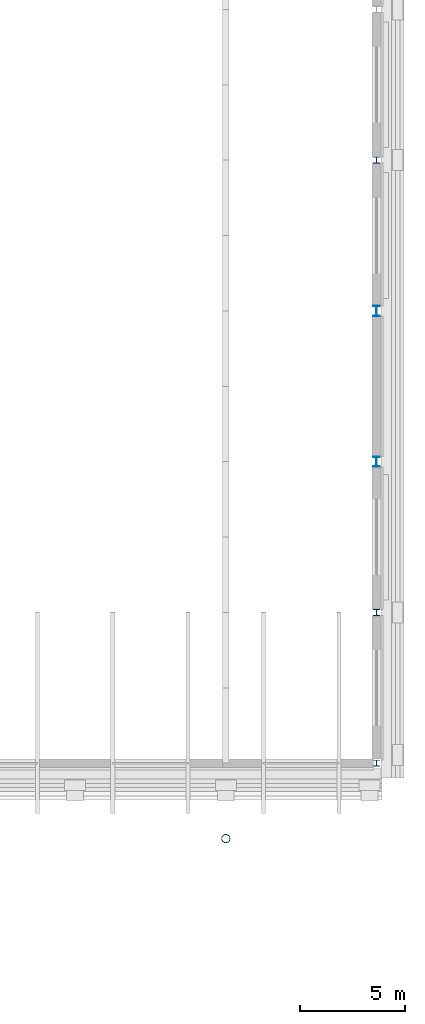
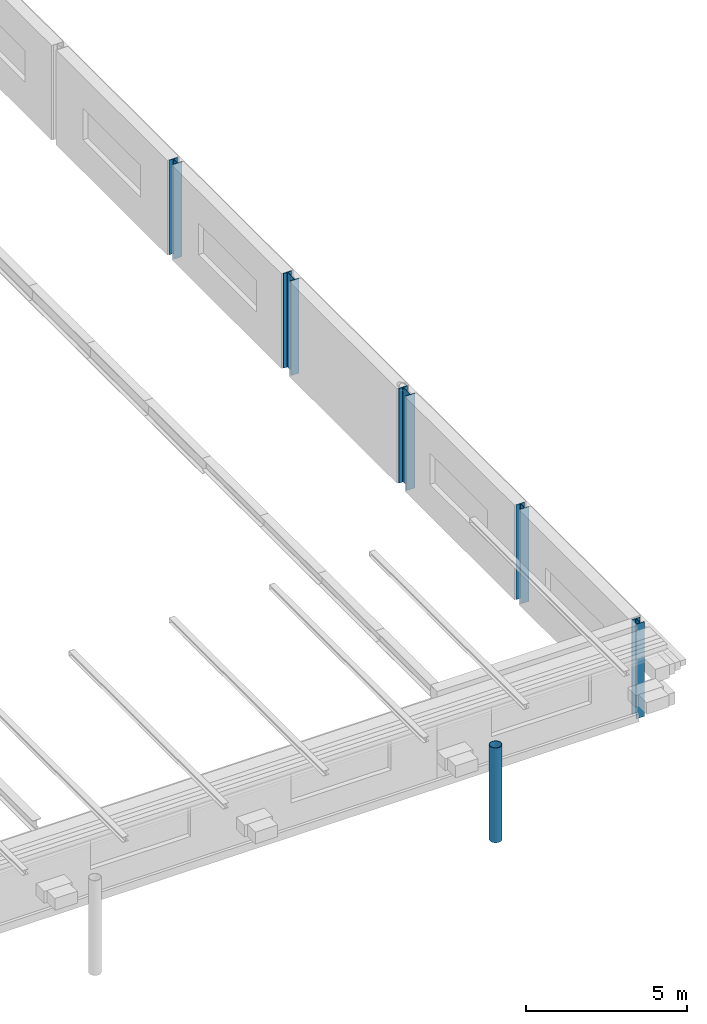
# One storey, part 12 of 110: 6 columns.
"""IFC4 building model written with IfcOpenShell, lengths in metres."""

from ifc_helpers import new_model, si_unit, direction, frame, origin, origin_2d, place, context, subcontext, project, spatial, hollow_circle, i_section, extrude, material, material_profile, profile_set, type_object, element, save


model = new_model("IFC4")

# Units and contexts
model_context = context("Model", 3, precision=1e-05, world=origin(), true_north=direction((0.0, 1.0)))
body_context = subcontext(model_context, "Body", "Model", "MODEL_VIEW")
ifc_project = project(units=[si_unit("LENGTHUNIT", "METRE"), si_unit("AREAUNIT", "SQUARE_METRE"), si_unit("VOLUMEUNIT", "CUBIC_METRE"), si_unit("PLANEANGLEUNIT", "RADIAN"), si_unit("MASSUNIT", "GRAM", prefix="KILO")], contexts=[model_context])

# Site, building, storey
site_placement = place(None, origin())
site = spatial("IfcSite", under=ifc_project, at=site_placement, CompositionType="ELEMENT")
building_placement = place(site_placement, origin())
building = spatial("IfcBuilding", under=site, at=building_placement, Name="Kupolbacken Congress Centre", CompositionType="ELEMENT")
storey_placement = place(building_placement, frame((0.0, 0.0, 18.0)))
storey = spatial("IfcBuildingStorey", under=building, at=storey_placement, Name="L05", CompositionType="ELEMENT", Elevation=18.0)

# Columns
ifc_material_1 = material(Name="Steel S355", Category="steel")
ifc_material_profile_1 = material_profile(ifc_material_1, i_section(OverallWidth=0.300048828125, OverallDepth=0.2900390625, WebThickness=0.008544921875, FlangeThickness=0.013916015625, FilletRadius=0.027099609375, at=origin_2d()), Name="HEA 300")
ifc_profile_set_1 = profile_set([ifc_material_profile_1], Name="Steel S355")
column_type_1 = type_object("IfcColumnType", Name="C09 column HEA 300", PredefinedType="COLUMN", material=ifc_profile_set_1)
for number, where, z_axis, x_axis, name in (
    (1, (201.60009765625, 43.199951171875, 0.0), (0.0, 0.0, 1.0), (1.0, 0.0, 0.0), "S/col/C-H-PE01/L05"),
    (2, (201.60009765625, 50.39990234375, 0.0), (0.0, 0.0, 1.0), (1.0, 0.0, 0.0), "S/col/C-H-PE02/L05"),
    (3, (201.60009765625, 72.0, 0.0), (0.0, 0.0, 1.0), (1.0, 0.0, 0.0), "S/col/C-H-PE05/L05"),
):
    element("IfcColumn", number, at=place(storey_placement, frame(where, z_axis=z_axis, x_axis=x_axis)), inside=storey, type_object=column_type_1, Name=name, PredefinedType="COLUMN", context=body_context, shape_type="SweptSolid", body=[
        extrude(i_section(OverallWidth=0.300048828125, OverallDepth=0.2900390625, WebThickness=0.008544921875, FlangeThickness=0.013916015625, FilletRadius=0.027099609375, at=origin_2d()), origin(), (0.0, 0.0, 1.0), 3.60009765625),
    ])
ifc_material_2 = material(Name="Steel S355", Category="steel")
ifc_material_profile_2 = material_profile(ifc_material_2, i_section(OverallWidth=0.300048828125, OverallDepth=0.489990234375, WebThickness=0.011962890625, FlangeThickness=0.02294921875, FilletRadius=0.027099609375, at=origin_2d()), Name="HEA 500")
ifc_profile_set_2 = profile_set([ifc_material_profile_2], Name="Steel S355")
column_type_2 = type_object("IfcColumnType", Name="C14 column HEA 500", PredefinedType="COLUMN", material=ifc_profile_set_2)
for number, where, z_axis, x_axis, name in (
    (4, (201.60009765625, 57.60009765625, 0.0), (0.0, 0.0, 1.0), (1.0, 0.0, 0.0), "S/col/C-H-PE03/L05"),
    (5, (201.60009765625, 64.800048828125, 0.0), (0.0, 0.0, 1.0), (1.0, 0.0, 0.0), "S/col/C-H-PE04/L05"),
):
    element("IfcColumn", number, at=place(storey_placement, frame(where, z_axis=z_axis, x_axis=x_axis)), inside=storey, type_object=column_type_2, Name=name, PredefinedType="COLUMN", context=body_context, shape_type="SweptSolid", body=[
        extrude(i_section(OverallWidth=0.300048828125, OverallDepth=0.489990234375, WebThickness=0.011962890625, FlangeThickness=0.02294921875, FilletRadius=0.027099609375, at=origin_2d()), origin(), (0.0, 0.0, 1.0), 3.60009765625),
    ])
ifc_material_3 = material(Name="Steel S355", Category="steel")
ifc_material_profile_3 = material_profile(ifc_material_3, hollow_circle(Radius=0.203125, WallThickness=0.01611328125, at=origin_2d()), Name="CHS 406.4 x 16")
ifc_profile_set_3 = profile_set([ifc_material_profile_3], Name="Steel S355")
column_type_3 = type_object("IfcColumnType", Name="C15 roof mast CHS 406.4 x 16", PredefinedType="COLUMN", material=ifc_profile_set_3)
column_placement = place(storey_placement, frame((194.39990234375, 39.60009765625, 0.0), z_axis=(0.0, 0.0, 1.0), x_axis=(1.0, 0.0, 0.0)))
element("IfcColumn", 6, at=column_placement, inside=storey, type_object=column_type_3, Name="Roof mast M8S", PredefinedType="COLUMN", context=body_context, shape_type="SweptSolid", body=[
    extrude(hollow_circle(Radius=0.203125, WallThickness=0.01611328125, at=origin_2d()), origin(), (0.0, 0.0, 1.0), 3.60009765625),
])

save(model, "model.ifc")
